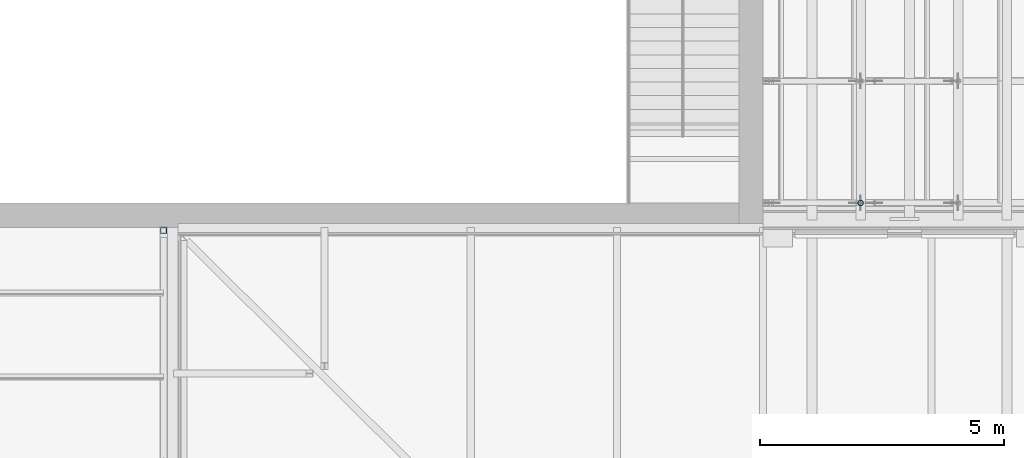
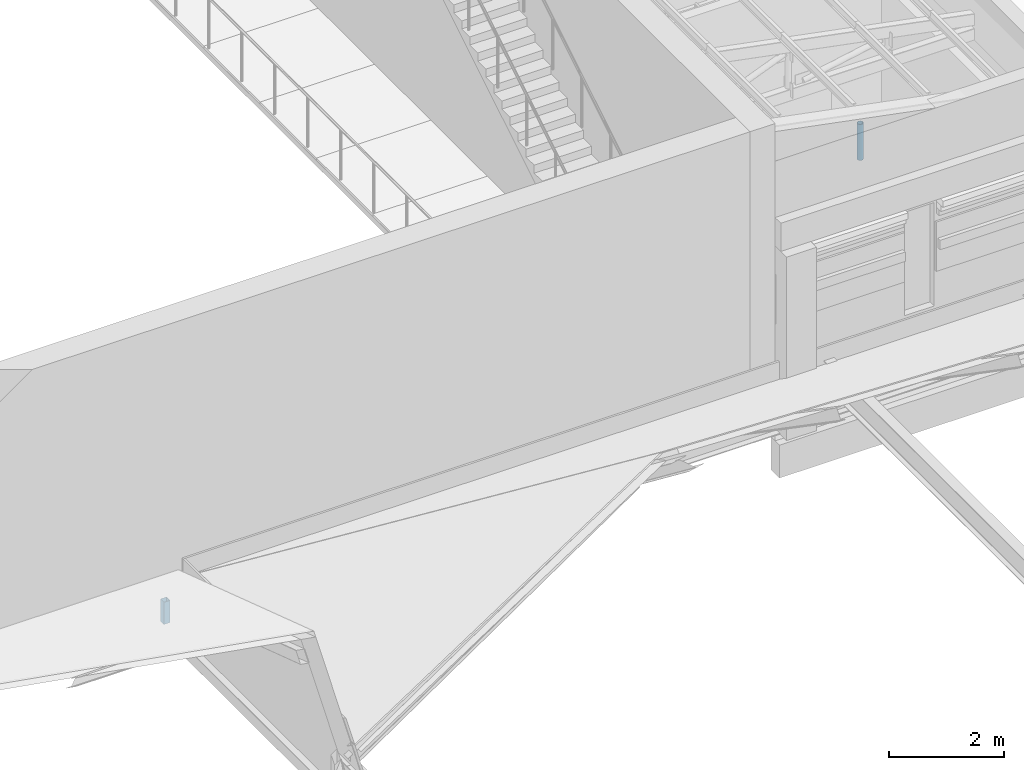
# One storey, part 52 of 118: 2 members.
"""IFC4 building model written with IfcOpenShell, lengths in metres."""

from ifc_helpers import new_model, si_unit, direction, frame, origin, origin_2d, place, context, subcontext, project, spatial, hollow_rectangle, hollow_circle, extrude, material, material_profile, profile_set, type_object, element, save


model = new_model("IFC4")

# Units and contexts
model_context = context("Model", 3, precision=1e-05, world=origin(), true_north=direction((0.0, 1.0)))
body_context = subcontext(model_context, "Body", "Model", "MODEL_VIEW")
ifc_project = project(units=[si_unit("LENGTHUNIT", "METRE"), si_unit("AREAUNIT", "SQUARE_METRE"), si_unit("VOLUMEUNIT", "CUBIC_METRE"), si_unit("PLANEANGLEUNIT", "RADIAN"), si_unit("MASSUNIT", "GRAM", prefix="KILO")], contexts=[model_context])

# Site, building, storey
site_placement = place(None, origin())
site = spatial("IfcSite", under=ifc_project, at=site_placement, CompositionType="ELEMENT")
building_placement = place(site_placement, origin())
building = spatial("IfcBuilding", under=site, at=building_placement, Name="Saffron Lane Theatres", CompositionType="ELEMENT")
storey_placement = place(building_placement, frame((0.0, 0.0, 16.5)))
storey = spatial("IfcBuildingStorey", under=building, at=storey_placement, Name="L03", CompositionType="ELEMENT", Elevation=16.5)

# Members
ifc_material_1 = material(Name="Steel Grade 350", Category="steel")
ifc_material_profile_1 = material_profile(ifc_material_1, hollow_rectangle(XDim=0.125, YDim=0.125, WallThickness=0.006103515625, InnerFilletRadius=0.0029296875, OuterFilletRadius=0.009033203125, at=origin_2d()))
ifc_profile_set_1 = profile_set([ifc_material_profile_1], Name="Steel Grade 350")
member_type_1 = type_object("IfcMemberType", Name="ST-STUDIO POST 125x125x6 SHS", PredefinedType="POST", material=ifc_profile_set_1)
member_1_placement = place(storey_placement, frame((35.699951171875, 29.9375, 0.25), z_axis=(0.0, 0.0, 1.0), x_axis=(1.0, 0.0, 0.0)))
element("IfcMember", 1, at=member_1_placement, inside=storey, type_object=member_type_1, Name="GSP35", PredefinedType="POST", context=body_context, shape_type="SweptSolid", body=[
    extrude(hollow_rectangle(XDim=0.125, YDim=0.125, WallThickness=0.006103515625, InnerFilletRadius=0.0029296875, OuterFilletRadius=0.009033203125, at=origin_2d()), origin(), (0.0, 0.0, 1.0), 0.470703125),
])
ifc_material_2 = material(Name="Steel Grade 350", Category="steel")
ifc_material_profile_2 = material_profile(ifc_material_2, hollow_circle(Radius=0.05712890625, WallThickness=0.006103515625, at=origin_2d()))
ifc_profile_set_2 = profile_set([ifc_material_profile_2], Name="Steel Grade 350")
member_type_2 = type_object("IfcMemberType", Name="ST-STUDIO TRUSS WEB 114.3x6.0 CHS", PredefinedType="BRACE", material=ifc_profile_set_2)
member_2_placement = place(storey_placement, frame((50.0, 30.5, 4.75), z_axis=(0.0, 0.0, 1.0), x_axis=(1.0, 0.0, 0.0)))
element("IfcMember", 2, at=member_2_placement, inside=storey, type_object=member_type_2, Name="SB4-W5", PredefinedType="BRACE", context=body_context, shape_type="SweptSolid", body=[
    extrude(hollow_circle(Radius=0.05712890625, WallThickness=0.006103515625, at=origin_2d()), origin(), (0.0, 0.0, 1.0), 0.765625),
])

save(model, "model.ifc")
